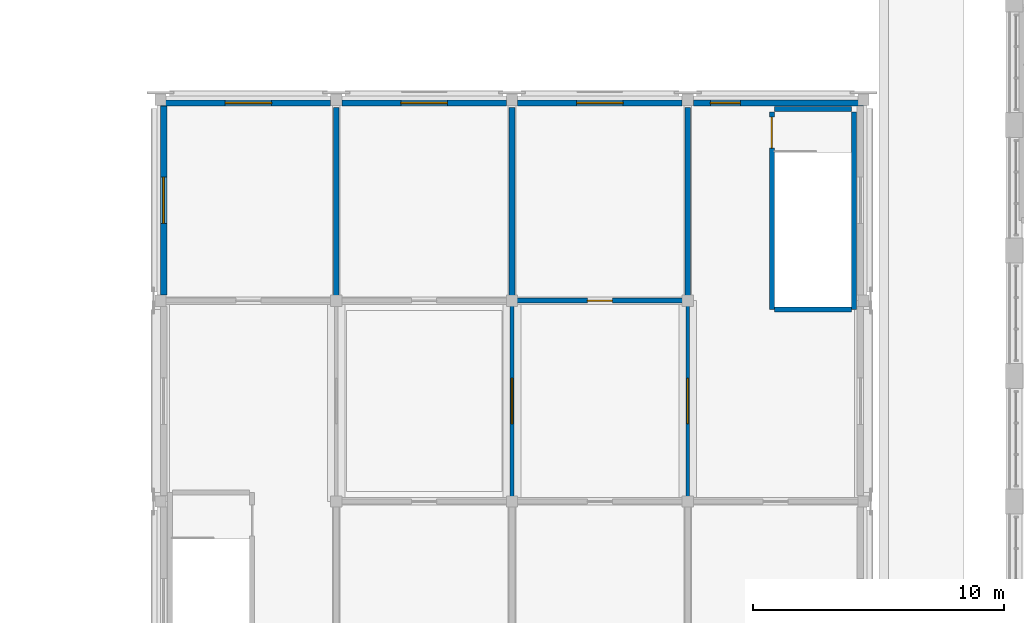
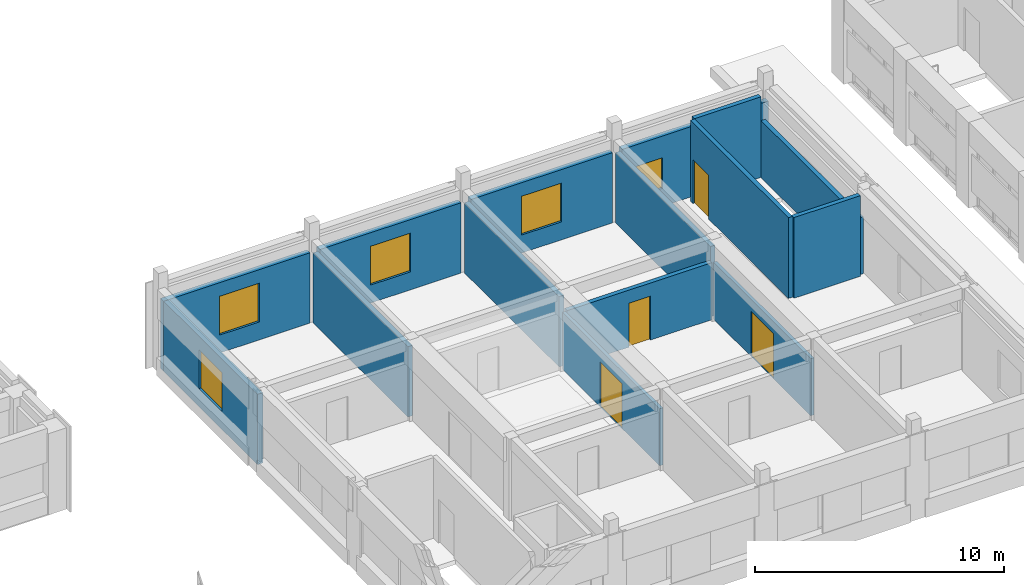
# One storey, part 67 of 97: 15 walls, 5 windows, 4 doors, 9 openings.
"""IFC4 building model written with IfcOpenShell, lengths in metres."""

from ifc_helpers import new_model, si_unit, direction, frame, frame_2d, origin, place, context, subcontext, project, spatial, rectangle, extrude, material, layer, layer_set, type_object, element, fill, save


model = new_model("IFC4")

# Units and contexts
model_context = context("Model", 3, precision=1e-05, world=origin(), true_north=direction((0.0, 1.0)))
body_context = subcontext(model_context, "Body", "Model", "MODEL_VIEW")
ifc_project = project(units=[si_unit("LENGTHUNIT", "METRE"), si_unit("AREAUNIT", "SQUARE_METRE"), si_unit("VOLUMEUNIT", "CUBIC_METRE"), si_unit("PLANEANGLEUNIT", "RADIAN"), si_unit("MASSUNIT", "GRAM", prefix="KILO")], contexts=[model_context])

# Site, building, storey
site_placement = place(None, origin())
site = spatial("IfcSite", under=ifc_project, at=site_placement, CompositionType="ELEMENT")
building_placement = place(site_placement, origin())
building = spatial("IfcBuilding", under=site, at=building_placement, Name="Kiranvali Square Residences", CompositionType="ELEMENT")
storey_placement = place(building_placement, frame((0.0, 0.0, 4.5)))
storey = spatial("IfcBuildingStorey", under=building, at=storey_placement, Name="L01", CompositionType="ELEMENT", Elevation=4.5)

# Wall, opening, door
ifc_material_1 = material(Name="Autoclaved aerated concrete blockwork masonry", Category="masonry")
ifc_layer_1 = layer(ifc_material_1, 0.199951171875)
ifc_layer_set_1 = layer_set([ifc_layer_1], Name="Autoclaved aerated concrete blockwork masonry")
wall_type_1 = type_object("IfcWallType", Name="WL-COR-200", PredefinedType="STANDARD", material=ifc_layer_set_1)
wall_1_placement = place(storey_placement, frame((52.14990234375, 72.0, 0.0), z_axis=(0.0, 0.0, 1.0), x_axis=(1.0, 0.0, 0.0)))
wall_1 = element("IfcWall", 1, at=wall_1_placement, inside=storey, type_object=wall_type_1, Name="L01 architectural wall WL-NR-L01-Y1-2", PredefinedType="STANDARD", context=body_context, shape_type="SweptSolid", body=[
    extrude(rectangle(XDim=6.7001953125, YDim=0.199951171875, at=frame_2d((3.35009765625, 0.0))), origin(), (0.0, 0.0, 1.0), 2.7919921875),
])
opening_1_placement = place(wall_1_placement, frame((2.85009765625, 0.0, 0.0)))
opening_1 = element("IfcOpeningElement", 2, at=opening_1_placement, cuts=wall_1, Name="Opening FD-APT-60", PredefinedType="OPENING", context=body_context, shape_type="SweptSolid", body=[
    extrude(rectangle(XDim=1.0, YDim=2.14990234375, at=frame_2d((0.5, 1.074951171875))), frame((0.0, 0.10986328125, 0.0), z_axis=(0.0, -1.0, 0.0), x_axis=(1.0, 0.0, 0.0)), (0.0, 0.0, 1.0), 0.219970703125),
])
ifc_material_2 = material(Name="Fire-rated acoustic hardwood and mineral-core door assembly", Category="wood")
door_type_1 = type_object("IfcDoorType", Name="DR-APT-1000", OperationType="NOTDEFINED", PredefinedType="DOOR", material=ifc_material_2)
door_1_placement = place(opening_1_placement, origin())
door_1 = element("IfcDoor", 3, at=door_1_placement, inside=storey, type_object=door_type_1, Name="L01 door DR-L01-2327 (DR-APT-1000)", OperationType="SINGLE_SWING_LEFT", OverallHeight=2.14990234375, OverallWidth=1.0, PredefinedType="DOOR", context=body_context, shape_type="SweptSolid", body=[
    extrude(rectangle(XDim=1.0, YDim=2.14990234375, at=frame_2d((0.5, 1.074951171875))), frame((0.0, 0.02490234375, 0.0), z_axis=(0.0, -1.0, 0.0), x_axis=(1.0, 0.0, 0.0)), (0.0, 0.0, 1.0), 0.050048828125),
])
fill(opening_1, door_1)

# Walls
ifc_layer_2 = layer(ifc_material_1, 0.219970703125)
ifc_layer_set_2 = layer_set([ifc_layer_2], Name="Autoclaved aerated concrete blockwork masonry")
wall_type_2 = type_object("IfcWallType", Name="WL-DEM-220", PredefinedType="STANDARD", material=ifc_layer_set_2)
for number, where, z_axis, x_axis, name in (
    (4, (45.0, 72.10009765625, 0.0), (0.0, 0.0, 1.0), (0.0, 1.0, 0.0), "L01 architectural wall WL-NR-L01-X1-N"),
    (5, (52.0, 72.10009765625, 0.0), (0.0, 0.0, 1.0), (0.0, 1.0, 0.0), "L01 architectural wall WL-NR-L01-X2-N"),
    (6, (59.0, 72.10009765625, 0.0), (0.0, 0.0, 1.0), (0.0, 1.0, 0.0), "L01 architectural wall WL-NR-L01-X3-N"),
):
    element("IfcWall", number, at=place(storey_placement, frame(where, z_axis=z_axis, x_axis=x_axis)), inside=storey, type_object=wall_type_2, Name=name, PredefinedType="STANDARD", context=body_context, shape_type="SweptSolid", body=[
        extrude(rectangle(XDim=7.599853515625, YDim=0.219970703125, at=frame_2d((3.7998046875, 0.0))), origin(), (0.0, 0.0, 1.0), 3.44189453125),
    ])

# Wall, opening, window
ifc_material_3 = material(Name="Breathable lime-rendered clay brick masonry", Category="masonry")
ifc_layer_3 = layer(ifc_material_3, 0.25)
ifc_layer_set_3 = layer_set([ifc_layer_3], Name="Breathable lime-rendered clay brick masonry")
wall_type_3 = type_object("IfcWallType", Name="WL-EXT-250", PredefinedType="STANDARD", material=ifc_layer_set_3)
wall_2_placement = place(storey_placement, frame((38.0, 79.875, 0.0), z_axis=(0.0, 0.0, 1.0), x_axis=(1.0, 0.0, 0.0)))
wall_2 = element("IfcWall", 7, at=wall_2_placement, inside=storey, type_object=wall_type_3, Name="L01 exterior wall NR-L01-N-0", PredefinedType="STANDARD", context=body_context, shape_type="SweptSolid", body=[
    extrude(rectangle(XDim=6.771484375, YDim=0.25, at=frame_2d((3.3857421875, 0.0))), origin(), (0.0, 0.0, 1.0), 3.44189453125),
])
opening_2_placement = place(wall_2_placement, frame((2.574951171875, 0.0, 0.8798828125)))
opening_2 = element("IfcOpeningElement", 8, at=opening_2_placement, cuts=wall_2, Name="Opening W-22", PredefinedType="OPENING", context=body_context, shape_type="SweptSolid", body=[
    extrude(rectangle(XDim=1.85009765625, YDim=1.89990234375, at=frame_2d((0.925048828125, 0.949951171875))), frame((0.0, 0.135009765625, 0.0), z_axis=(0.0, -1.0, 0.0), x_axis=(1.0, 0.0, 0.0)), (0.0, 0.0, 1.0), 0.27001953125),
])
ifc_material_4 = material(Name="Solar-control low-e double glazing", Category="glass")
window_type_1 = type_object("IfcWindowType", Name="WIN-PAV-1850x1900", PartitioningType="DOUBLE_PANEL_VERTICAL", PredefinedType="WINDOW", material=ifc_material_4)
window_1_placement = place(opening_2_placement, origin())
window_1 = element("IfcWindow", 9, at=window_1_placement, inside=storey, type_object=window_type_1, Name="L01 recessed window NR-L01-N-0", OverallHeight=1.89990234375, OverallWidth=1.85009765625, PartitioningType="DOUBLE_PANEL_VERTICAL", PredefinedType="WINDOW", context=body_context, shape_type="SweptSolid", body=[
    extrude(rectangle(XDim=1.85009765625, YDim=1.89990234375, at=frame_2d((0.925048828125, 0.949951171875))), frame((0.0, 0.030029296875, 0.0), z_axis=(0.0, -1.0, 0.0), x_axis=(1.0, 0.0, 0.0)), (0.0, 0.0, 1.0), 0.06005859375),
])
fill(opening_2, window_1)

wall_3_placement = place(storey_placement, frame((45.228515625, 79.875, 0.0), z_axis=(0.0, 0.0, 1.0), x_axis=(1.0, 0.0, 0.0)))
wall_3 = element("IfcWall", 10, at=wall_3_placement, inside=storey, type_object=wall_type_3, Name="L01 exterior wall NR-L01-N-1", PredefinedType="STANDARD", context=body_context, shape_type="SweptSolid", body=[
    extrude(rectangle(XDim=6.54296875, YDim=0.25, at=frame_2d((3.271484375, 0.0))), origin(), (0.0, 0.0, 1.0), 3.44189453125),
])
opening_3_placement = place(wall_3_placement, frame((2.346435546875, 0.0, 0.8798828125)))
opening_3 = element("IfcOpeningElement", 11, at=opening_3_placement, cuts=wall_3, Name="Opening W-22", PredefinedType="OPENING", context=body_context, shape_type="SweptSolid", body=[
    extrude(rectangle(XDim=1.85009765625, YDim=1.89990234375, at=frame_2d((0.925048828125, 0.949951171875))), frame((0.0, 0.135009765625, 0.0), z_axis=(0.0, -1.0, 0.0), x_axis=(1.0, 0.0, 0.0)), (0.0, 0.0, 1.0), 0.27001953125),
])
window_2_placement = place(opening_3_placement, origin())
window_2 = element("IfcWindow", 12, at=window_2_placement, inside=storey, type_object=window_type_1, Name="L01 recessed window NR-L01-N-1", OverallHeight=1.89990234375, OverallWidth=1.85009765625, PartitioningType="DOUBLE_PANEL_VERTICAL", PredefinedType="WINDOW", context=body_context, shape_type="SweptSolid", body=[
    extrude(rectangle(XDim=1.85009765625, YDim=1.89990234375, at=frame_2d((0.925048828125, 0.949951171875))), frame((0.0, 0.030029296875, 0.0), z_axis=(0.0, -1.0, 0.0), x_axis=(1.0, 0.0, 0.0)), (0.0, 0.0, 1.0), 0.06005859375),
])
fill(opening_3, window_2)

wall_4_placement = place(storey_placement, frame((52.228515625, 79.875, 0.0), z_axis=(0.0, 0.0, 1.0), x_axis=(1.0, 0.0, 0.0)))
wall_4 = element("IfcWall", 13, at=wall_4_placement, inside=storey, type_object=wall_type_3, Name="L01 exterior wall NR-L01-N-2", PredefinedType="STANDARD", context=body_context, shape_type="SweptSolid", body=[
    extrude(rectangle(XDim=6.54296875, YDim=0.25, at=frame_2d((3.271484375, 0.0))), origin(), (0.0, 0.0, 1.0), 3.44189453125),
])
opening_4_placement = place(wall_4_placement, frame((2.346435546875, 0.0, 0.8798828125)))
opening_4 = element("IfcOpeningElement", 14, at=opening_4_placement, cuts=wall_4, Name="Opening W-22", PredefinedType="OPENING", context=body_context, shape_type="SweptSolid", body=[
    extrude(rectangle(XDim=1.85009765625, YDim=1.89990234375, at=frame_2d((0.925048828125, 0.949951171875))), frame((0.0, 0.135009765625, 0.0), z_axis=(0.0, -1.0, 0.0), x_axis=(1.0, 0.0, 0.0)), (0.0, 0.0, 1.0), 0.27001953125),
])
window_3_placement = place(opening_4_placement, origin())
window_3 = element("IfcWindow", 15, at=window_3_placement, inside=storey, type_object=window_type_1, Name="L01 recessed window NR-L01-N-2", OverallHeight=1.89990234375, OverallWidth=1.85009765625, PartitioningType="DOUBLE_PANEL_VERTICAL", PredefinedType="WINDOW", context=body_context, shape_type="SweptSolid", body=[
    extrude(rectangle(XDim=1.85009765625, YDim=1.89990234375, at=frame_2d((0.925048828125, 0.949951171875))), frame((0.0, 0.030029296875, 0.0), z_axis=(0.0, -1.0, 0.0), x_axis=(1.0, 0.0, 0.0)), (0.0, 0.0, 1.0), 0.06005859375),
])
fill(opening_4, window_3)

wall_5_placement = place(storey_placement, frame((59.228515625, 79.875, 0.0), z_axis=(0.0, 0.0, 1.0), x_axis=(1.0, 0.0, 0.0)))
wall_5 = element("IfcWall", 16, at=wall_5_placement, inside=storey, type_object=wall_type_3, Name="L01 exterior wall NR-L01-N-3", PredefinedType="STANDARD", context=body_context, shape_type="SweptSolid", body=[
    extrude(rectangle(XDim=6.771484375, YDim=0.25, at=frame_2d((3.3857421875, 0.0))), origin(), (0.0, 0.0, 1.0), 3.44189453125),
])
opening_5_placement = place(wall_5_placement, frame((0.67138671875, 0.0, 0.8798828125)))
opening_5 = element("IfcOpeningElement", 17, at=opening_5_placement, cuts=wall_5, Name="Opening W-06", PredefinedType="OPENING", context=body_context, shape_type="SweptSolid", body=[
    extrude(rectangle(XDim=1.199951171875, YDim=1.5, at=frame_2d((0.60009765625, 0.75))), frame((0.0, 0.135009765625, 0.0), z_axis=(0.0, -1.0, 0.0), x_axis=(1.0, 0.0, 0.0)), (0.0, 0.0, 1.0), 0.27001953125),
])
window_type_2 = type_object("IfcWindowType", Name="WIN-RES-1200x1500", PartitioningType="SINGLE_PANEL", PredefinedType="WINDOW", material=ifc_material_4)
window_4_placement = place(opening_5_placement, origin())
window_4 = element("IfcWindow", 18, at=window_4_placement, inside=storey, type_object=window_type_2, Name="L01 recessed window NR-L01-N-3", OverallHeight=1.5, OverallWidth=1.199951171875, PartitioningType="SINGLE_PANEL", PredefinedType="WINDOW", context=body_context, shape_type="SweptSolid", body=[
    extrude(rectangle(XDim=1.199951171875, YDim=1.5, at=frame_2d((0.60009765625, 0.75))), frame((0.0, 0.030029296875, 0.0), z_axis=(0.0, -1.0, 0.0), x_axis=(1.0, 0.0, 0.0)), (0.0, 0.0, 1.0), 0.06005859375),
])
fill(opening_5, window_4)

wall_6_placement = place(storey_placement, frame((38.125, 72.228515625, 0.0), z_axis=(0.0, 0.0, 1.0), x_axis=(0.0, 1.0, 0.0)))
wall_6 = element("IfcWall", 19, at=wall_6_placement, inside=storey, type_object=wall_type_3, Name="L01 exterior wall NR-L01-W-2", PredefinedType="STANDARD", context=body_context, shape_type="SweptSolid", body=[
    extrude(rectangle(XDim=7.5185546875, YDim=0.25, at=frame_2d((3.75927734375, 0.0))), origin(), (0.0, 0.0, 1.0), 3.44189453125),
])
opening_6_placement = place(wall_6_placement, frame((2.846435546875, 0.0, 0.8798828125)))
opening_6 = element("IfcOpeningElement", 20, at=opening_6_placement, cuts=wall_6, Name="Opening W-22", PredefinedType="OPENING", context=body_context, shape_type="SweptSolid", body=[
    extrude(rectangle(XDim=1.85009765625, YDim=1.89990234375, at=frame_2d((0.925048828125, 0.949951171875))), frame((0.0, 0.135009765625, 0.0), z_axis=(0.0, -1.0, 0.0), x_axis=(1.0, 0.0, 0.0)), (0.0, 0.0, 1.0), 0.27001953125),
])
window_5_placement = place(opening_6_placement, origin())
window_5 = element("IfcWindow", 21, at=window_5_placement, inside=storey, type_object=window_type_1, Name="L01 recessed window NR-L01-W-2", OverallHeight=1.89990234375, OverallWidth=1.85009765625, PartitioningType="DOUBLE_PANEL_VERTICAL", PredefinedType="WINDOW", context=body_context, shape_type="SweptSolid", body=[
    extrude(rectangle(XDim=1.85009765625, YDim=1.89990234375, at=frame_2d((0.925048828125, 0.949951171875))), frame((0.0, 0.030029296875, 0.0), z_axis=(0.0, -1.0, 0.0), x_axis=(1.0, 0.0, 0.0)), (0.0, 0.0, 1.0), 0.06005859375),
])
fill(opening_6, window_5)

# Wall, opening, door
ifc_material_5 = material(Name="Acoustic gypsum board drylined partition", Category="gypsum")
ifc_layer_4 = layer(ifc_material_5, 0.14990234375)
ifc_layer_set_4 = layer_set([ifc_layer_4], Name="Acoustic gypsum board drylined partition")
wall_type_4 = type_object("IfcWallType", Name="WL-PRT-150", PredefinedType="PARTITIONING", material=ifc_layer_set_4)
wall_7_placement = place(storey_placement, frame((52.0, 64.10009765625, 0.0), z_axis=(0.0, 0.0, 1.0), x_axis=(0.0, 1.0, 0.0)))
wall_7 = element("IfcWall", 22, at=wall_7_placement, inside=storey, type_object=wall_type_4, Name="L01 architectural wall WL-NR-L01-X2-M", PredefinedType="PARTITIONING", context=body_context, shape_type="SweptSolid", body=[
    extrude(rectangle(XDim=7.7998046875, YDim=0.14990234375, at=frame_2d((3.89990234375, 0.0))), origin(), (0.0, 0.0, 1.0), 2.7919921875),
])
opening_7_placement = place(wall_7_placement, frame((3.0, 0.0, 0.0)))
opening_7 = element("IfcOpeningElement", 23, at=opening_7_placement, cuts=wall_7, Name="Opening ED-GLZ-180", PredefinedType="OPENING", context=body_context, shape_type="SweptSolid", body=[
    extrude(rectangle(XDim=1.800048828125, YDim=2.199951171875, at=frame_2d((0.89990234375, 1.10009765625))), frame((0.0, 0.0849609375, 0.0), z_axis=(0.0, -1.0, 0.0), x_axis=(1.0, 0.0, 0.0)), (0.0, 0.0, 1.0), 0.169921875),
])
ifc_material_6 = material(Name="Anodised bronze aluminium framing", Category="aluminium")
door_type_2 = type_object("IfcDoorType", Name="DR-GLZ-1800", OperationType="DOUBLE_DOOR_SINGLE_SWING", PredefinedType="DOOR", material=ifc_material_6)
door_2_placement = place(opening_7_placement, origin())
door_2 = element("IfcDoor", 24, at=door_2_placement, inside=storey, type_object=door_type_2, Name="L01 door DR-L01-2329 (DR-GLZ-1800)", OperationType="DOUBLE_DOOR_SINGLE_SWING", OverallHeight=2.199951171875, OverallWidth=1.800048828125, PredefinedType="DOOR", context=body_context, shape_type="SweptSolid", body=[
    extrude(rectangle(XDim=1.800048828125, YDim=2.199951171875, at=frame_2d((0.89990234375, 1.10009765625))), frame((0.0, 0.02490234375, 0.0), z_axis=(0.0, -1.0, 0.0), x_axis=(1.0, 0.0, 0.0)), (0.0, 0.0, 1.0), 0.050048828125),
])
fill(opening_7, door_2)

wall_8_placement = place(storey_placement, frame((59.0, 64.10009765625, 0.0), z_axis=(0.0, 0.0, 1.0), x_axis=(0.0, 1.0, 0.0)))
wall_8 = element("IfcWall", 25, at=wall_8_placement, inside=storey, type_object=wall_type_4, Name="L01 architectural wall WL-NR-L01-X3-M", PredefinedType="PARTITIONING", context=body_context, shape_type="SweptSolid", body=[
    extrude(rectangle(XDim=7.7998046875, YDim=0.14990234375, at=frame_2d((3.89990234375, 0.0))), origin(), (0.0, 0.0, 1.0), 2.7919921875),
])
opening_8_placement = place(wall_8_placement, frame((3.0, 0.0, 0.0)))
opening_8 = element("IfcOpeningElement", 26, at=opening_8_placement, cuts=wall_8, Name="Opening ED-GLZ-180", PredefinedType="OPENING", context=body_context, shape_type="SweptSolid", body=[
    extrude(rectangle(XDim=1.800048828125, YDim=2.199951171875, at=frame_2d((0.89990234375, 1.10009765625))), frame((0.0, 0.0849609375, 0.0), z_axis=(0.0, -1.0, 0.0), x_axis=(1.0, 0.0, 0.0)), (0.0, 0.0, 1.0), 0.169921875),
])
door_3_placement = place(opening_8_placement, origin())
door_3 = element("IfcDoor", 27, at=door_3_placement, inside=storey, type_object=door_type_2, Name="L01 door DR-L01-2330 (DR-GLZ-1800)", OperationType="DOUBLE_DOOR_SINGLE_SWING", OverallHeight=2.199951171875, OverallWidth=1.800048828125, PredefinedType="DOOR", context=body_context, shape_type="SweptSolid", body=[
    extrude(rectangle(XDim=1.800048828125, YDim=2.199951171875, at=frame_2d((0.89990234375, 1.10009765625))), frame((0.0, 0.02490234375, 0.0), z_axis=(0.0, -1.0, 0.0), x_axis=(1.0, 0.0, 0.0)), (0.0, 0.0, 1.0), 0.050048828125),
])
fill(opening_8, door_3)

# Walls
ifc_layer_5 = layer(ifc_material_1, 0.199951171875)
ifc_layer_set_5 = layer_set([ifc_layer_5], Name="Autoclaved aerated concrete blockwork masonry")
wall_type_5 = type_object("IfcWallType", Name="WL-SHF-200", PredefinedType="STANDARD", material=ifc_layer_set_5)
wall_9_placement = place(storey_placement, frame((65.6201171875, 71.64990234375, 0.0), z_axis=(0.0, 0.0, 1.0), x_axis=(0.0, 1.0, 0.0)))
element("IfcWall", 28, at=wall_9_placement, inside=storey, type_object=wall_type_5, Name="L01 architectural wall WL-NR-L01-S2E", PredefinedType="STANDARD", context=body_context, shape_type="SweptSolid", body=[
    extrude(rectangle(XDim=7.8701171875, YDim=0.199951171875, at=frame_2d((3.93505859375, 0.0))), origin(), (0.0, 0.0, 1.0), 2.7919921875),
])
for number, where, z_axis, x_axis, name in (
    (29, (62.449951171875, 79.6298828125, 0.0), (0.0, 0.0, 1.0), (1.0, 0.0, 0.0), "L01 architectural wall WL-NR-L01-S2N"),
    (30, (62.449951171875, 71.64990234375, 0.0), (0.0, 0.0, 1.0), (1.0, 0.0, 0.0), "L01 architectural wall WL-NR-L01-S2S"),
):
    element("IfcWall", number, at=place(storey_placement, frame(where, z_axis=z_axis, x_axis=x_axis)), inside=storey, type_object=wall_type_5, Name=name, PredefinedType="STANDARD", context=body_context, shape_type="SweptSolid", body=[
        extrude(rectangle(XDim=3.070068359375, YDim=0.199951171875, at=frame_2d((1.53515625, 0.0))), origin(), (0.0, 0.0, 1.0), 3.949951171875),
    ])

# Wall, opening, door
wall_10_placement = place(storey_placement, frame((62.35009765625, 71.64990234375, 0.0), z_axis=(0.0, 0.0, 1.0), x_axis=(0.0, 1.0, 0.0)))
wall_10 = element("IfcWall", 31, at=wall_10_placement, inside=storey, type_object=wall_type_5, Name="L01 architectural wall WL-NR-L01-S2W", PredefinedType="STANDARD", context=body_context, shape_type="SweptSolid", body=[
    extrude(rectangle(XDim=7.8701171875, YDim=0.199951171875, at=frame_2d((3.93505859375, 0.0))), origin(), (0.0, 0.0, 1.0), 3.949951171875),
])
opening_9_placement = place(wall_10_placement, frame((6.423583984375, 0.0, 0.0)))
opening_9 = element("IfcOpeningElement", 32, at=opening_9_placement, cuts=wall_10, Name="Opening FD-ST-120", PredefinedType="OPENING", context=body_context, shape_type="SweptSolid", body=[
    extrude(rectangle(XDim=1.239990234375, YDim=2.14990234375, at=frame_2d((0.6201171875, 1.074951171875))), frame((0.0, 0.10986328125, 0.0), z_axis=(0.0, -1.0, 0.0), x_axis=(1.0, 0.0, 0.0)), (0.0, 0.0, 1.0), 0.219970703125),
])
door_type_3 = type_object("IfcDoorType", Name="DR-FD120-1200", OperationType="NOTDEFINED", PredefinedType="DOOR", material=ifc_material_2)
door_4_placement = place(opening_9_placement, frame((1.239990234375, 0.0, 0.0), z_axis=(0.0, 0.0, 1.0), x_axis=(-1.0, 0.0, 0.0)))
door_4 = element("IfcDoor", 33, at=door_4_placement, inside=storey, type_object=door_type_3, Name="L01 door DR-L01-2320 (DR-FD120-1200)", OperationType="SINGLE_SWING_RIGHT", OverallHeight=2.14990234375, OverallWidth=1.239990234375, PredefinedType="DOOR", context=body_context, shape_type="SweptSolid", body=[
    extrude(rectangle(XDim=1.239990234375, YDim=2.14990234375, at=frame_2d((0.6201171875, 1.074951171875))), frame((0.0, 0.02490234375, 0.0), z_axis=(0.0, -1.0, 0.0), x_axis=(1.0, 0.0, 0.0)), (0.0, 0.0, 1.0), 0.050048828125),
])
fill(opening_9, door_4)

save(model, "model.ifc")
